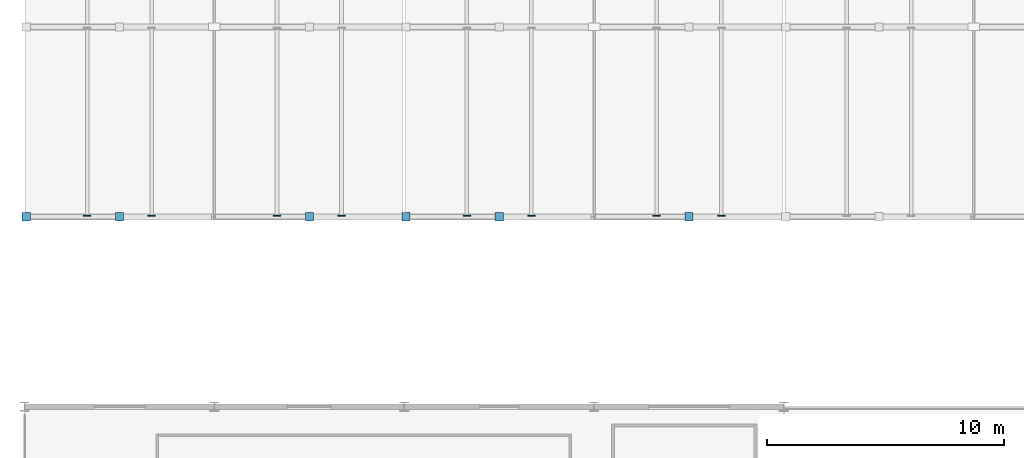
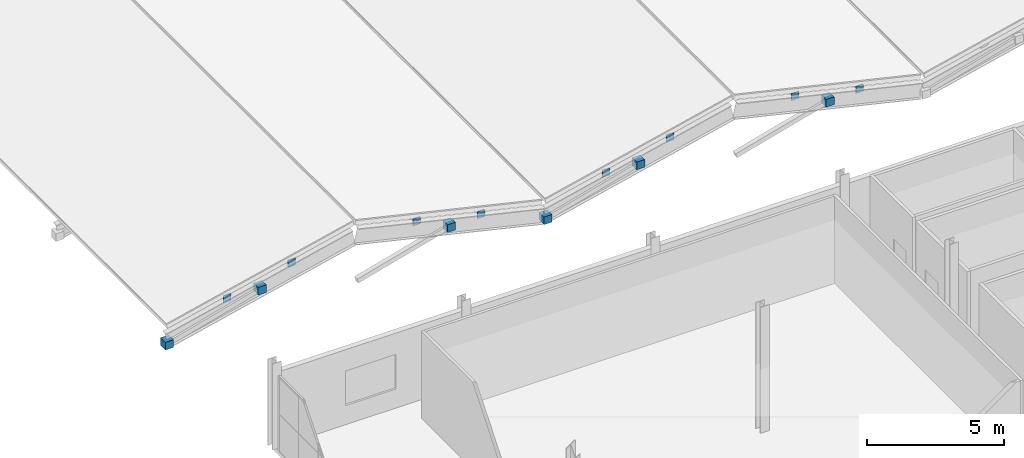
# One storey, part 48 of 67: 14 discrete accessories.
"""IFC4 building model written with IfcOpenShell, lengths in metres."""

from ifc_helpers import new_model, si_unit, direction, frame, origin, origin_2d, place, context, subcontext, project, spatial, rectangle, extrude, material, type_object, element, save


model = new_model("IFC4")

# Units and contexts
model_context = context("Model", 3, precision=1e-05, world=origin(), true_north=direction((0.0, 1.0)))
body_context = subcontext(model_context, "Body", "Model", "MODEL_VIEW")
ifc_project = project(units=[si_unit("LENGTHUNIT", "METRE"), si_unit("AREAUNIT", "SQUARE_METRE"), si_unit("VOLUMEUNIT", "CUBIC_METRE"), si_unit("PLANEANGLEUNIT", "RADIAN"), si_unit("MASSUNIT", "GRAM", prefix="KILO")], contexts=[model_context])

# Site, building, storey
site_placement = place(None, origin())
site = spatial("IfcSite", under=ifc_project, at=site_placement, CompositionType="ELEMENT")
building_placement = place(site_placement, origin())
building = spatial("IfcBuilding", under=site, at=building_placement, Name="Drelvath Fold Interchange", CompositionType="ELEMENT")
storey_placement = place(building_placement, frame((0.0, 0.0, 15.60009765625)))
storey = spatial("IfcBuildingStorey", under=building, at=storey_placement, Name="L03", CompositionType="ELEMENT", Elevation=15.60009765625)

# Discrete accessories
ifc_material = material(Name="Steel ASTM A572 Grade 50", Category="steel")
discrete_accessory_type = type_object("IfcDiscreteAccessoryType", Name="AC-CAP380", PredefinedType="BRACKET", material=ifc_material)
for number, where, z_axis, x_axis, name in (
    (1, (4.074951171875, 59.0, -0.42236328125), (0.0, 0.0, 1.0), (1.0, 0.0, 0.0), "Welded hollow member end cap 290"),
    (2, (8.0048828125, 59.0, 0.654296875), (0.0, 0.0, 1.0), (1.0, 0.0, 0.0), "Welded hollow member end cap 291"),
):
    element("IfcDiscreteAccessory", number, at=place(storey_placement, frame(where, z_axis=z_axis, x_axis=x_axis)), inside=storey, type_object=discrete_accessory_type, Name=name, PredefinedType="BRACKET", context=body_context, shape_type="SweptSolid", body=[
        extrude(rectangle(XDim=0.343017578125, YDim=0.343017578125, at=origin_2d()), origin(), (0.0, 0.0, 1.0), 0.343017578125),
    ])
for number, where, z_axis, x_axis, name in (
    (3, (6.639892578125, 59.034912109375, 0.6708984375), (0.0, 0.0, 1.0), (1.0, 0.0, 0.0), "Welded hollow member end cap 304"),
    (4, (9.360107421875, 59.034912109375, 1.2998046875), (0.0, 0.0, 1.0), (1.0, 0.0, 0.0), "Welded hollow member end cap 309"),
):
    element("IfcDiscreteAccessory", number, at=place(storey_placement, frame(where, z_axis=z_axis, x_axis=x_axis)), inside=storey, type_object=discrete_accessory_type, Name=name, PredefinedType="BRACKET", context=body_context, shape_type="SweptSolid", body=[
        extrude(rectangle(XDim=0.31396484375, YDim=0.0400390625, at=origin_2d()), origin(), (0.0, 0.0, 1.0), 0.31396484375),
    ])
discrete_accessory_1_placement = place(storey_placement, frame((16.0048828125, 59.0, 0.654296875), z_axis=(0.0, 0.0, 1.0), x_axis=(1.0, 0.0, 0.0)))
element("IfcDiscreteAccessory", 5, at=discrete_accessory_1_placement, inside=storey, type_object=discrete_accessory_type, Name="Welded hollow member end cap 315", PredefinedType="BRACKET", context=body_context, shape_type="SweptSolid", body=[
    extrude(rectangle(XDim=0.343017578125, YDim=0.343017578125, at=origin_2d()), origin(), (0.0, 0.0, 1.0), 0.343017578125),
])
for number, where, z_axis, x_axis, name in (
    (6, (14.639892578125, 59.034912109375, 1.2998046875), (0.0, 0.0, 1.0), (1.0, 0.0, 0.0), "Welded hollow member end cap 324"),
    (7, (17.360107421875, 59.034912109375, 0.6708984375), (0.0, 0.0, 1.0), (1.0, 0.0, 0.0), "Welded hollow member end cap 329"),
):
    element("IfcDiscreteAccessory", number, at=place(storey_placement, frame(where, z_axis=z_axis, x_axis=x_axis)), inside=storey, type_object=discrete_accessory_type, Name=name, PredefinedType="BRACKET", context=body_context, shape_type="SweptSolid", body=[
        extrude(rectangle(XDim=0.31396484375, YDim=0.0400390625, at=origin_2d()), origin(), (0.0, 0.0, 1.0), 0.31396484375),
    ])
for number, where, z_axis, x_axis, name in (
    (8, (20.074951171875, 59.0, -0.42236328125), (0.0, 0.0, 1.0), (1.0, 0.0, 0.0), "Welded hollow member end cap 335"),
    (9, (24.0048828125, 59.0, 0.654296875), (0.0, 0.0, 1.0), (1.0, 0.0, 0.0), "Welded hollow member end cap 336"),
):
    element("IfcDiscreteAccessory", number, at=place(storey_placement, frame(where, z_axis=z_axis, x_axis=x_axis)), inside=storey, type_object=discrete_accessory_type, Name=name, PredefinedType="BRACKET", context=body_context, shape_type="SweptSolid", body=[
        extrude(rectangle(XDim=0.343017578125, YDim=0.343017578125, at=origin_2d()), origin(), (0.0, 0.0, 1.0), 0.343017578125),
    ])
for number, where, z_axis, x_axis, name in (
    (10, (22.639892578125, 59.034912109375, 0.6708984375), (0.0, 0.0, 1.0), (1.0, 0.0, 0.0), "Welded hollow member end cap 349"),
    (11, (25.360107421875, 59.034912109375, 1.2998046875), (0.0, 0.0, 1.0), (1.0, 0.0, 0.0), "Welded hollow member end cap 354"),
):
    element("IfcDiscreteAccessory", number, at=place(storey_placement, frame(where, z_axis=z_axis, x_axis=x_axis)), inside=storey, type_object=discrete_accessory_type, Name=name, PredefinedType="BRACKET", context=body_context, shape_type="SweptSolid", body=[
        extrude(rectangle(XDim=0.31396484375, YDim=0.0400390625, at=origin_2d()), origin(), (0.0, 0.0, 1.0), 0.31396484375),
    ])
discrete_accessory_2_placement = place(storey_placement, frame((32.0048828125, 59.0, 0.654296875), z_axis=(0.0, 0.0, 1.0), x_axis=(1.0, 0.0, 0.0)))
element("IfcDiscreteAccessory", 12, at=discrete_accessory_2_placement, inside=storey, type_object=discrete_accessory_type, Name="Welded hollow member end cap 360", PredefinedType="BRACKET", context=body_context, shape_type="SweptSolid", body=[
    extrude(rectangle(XDim=0.343017578125, YDim=0.343017578125, at=origin_2d()), origin(), (0.0, 0.0, 1.0), 0.343017578125),
])
for number, where, z_axis, x_axis, name in (
    (13, (30.639892578125, 59.034912109375, 1.2998046875), (0.0, 0.0, 1.0), (1.0, 0.0, 0.0), "Welded hollow member end cap 369"),
    (14, (33.360107421875, 59.034912109375, 0.6708984375), (0.0, 0.0, 1.0), (1.0, 0.0, 0.0), "Welded hollow member end cap 374"),
):
    element("IfcDiscreteAccessory", number, at=place(storey_placement, frame(where, z_axis=z_axis, x_axis=x_axis)), inside=storey, type_object=discrete_accessory_type, Name=name, PredefinedType="BRACKET", context=body_context, shape_type="SweptSolid", body=[
        extrude(rectangle(XDim=0.31396484375, YDim=0.0400390625, at=origin_2d()), origin(), (0.0, 0.0, 1.0), 0.31396484375),
    ])

save(model, "model.ifc")
